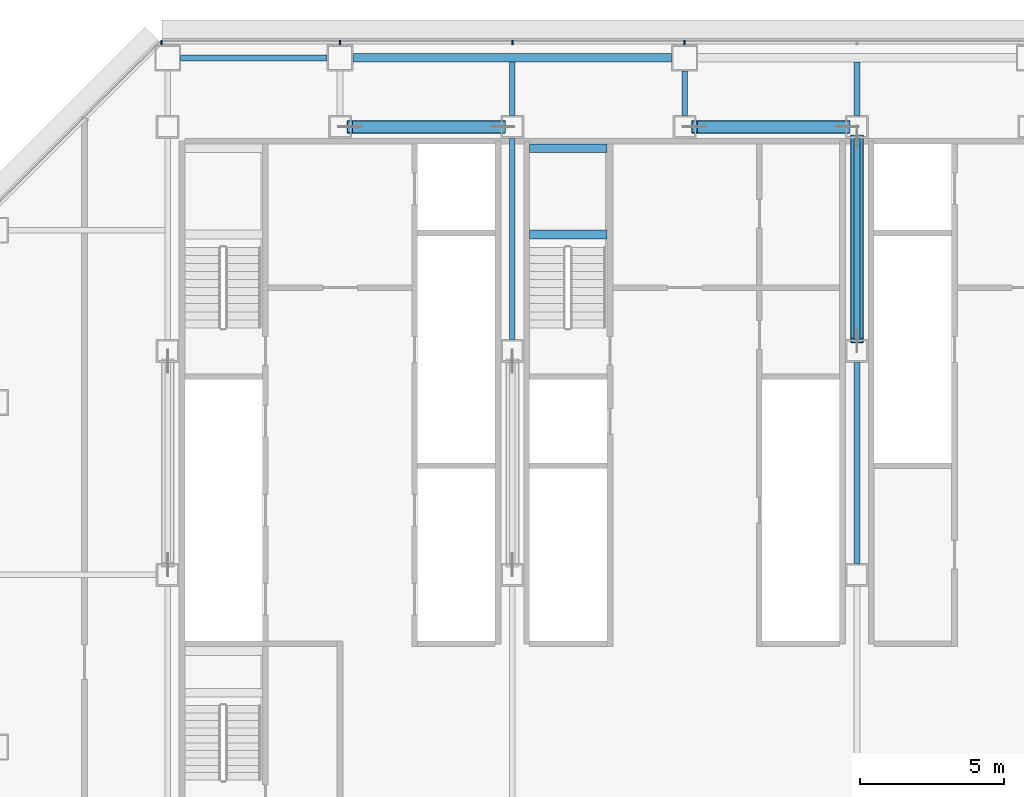
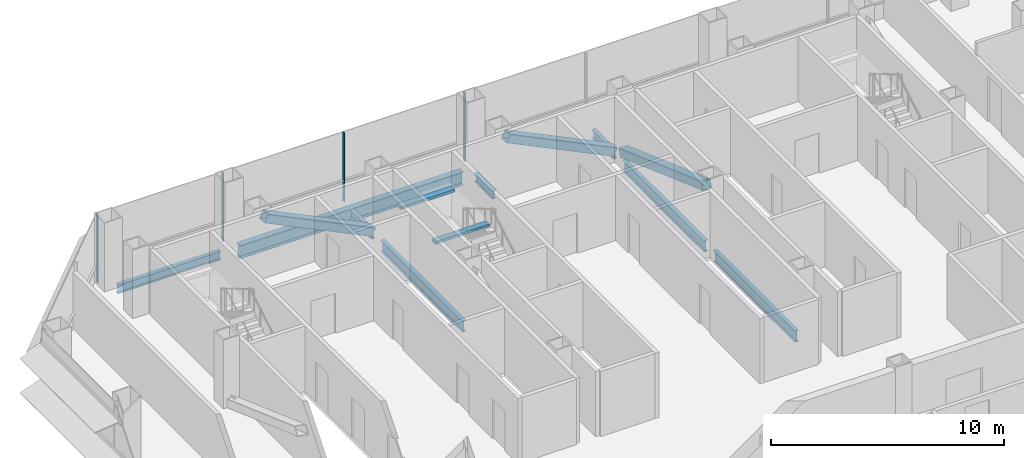
# One storey, part 12 of 27: 10 beams, 7 members, 1 element without a shape of its own.
"""IFC4 building model written with IfcOpenShell, lengths in metres."""

from ifc_helpers import new_model, si_unit, direction, frame, origin, origin_2d, place, context, subcontext, project, spatial, rectangle, hollow_rectangle, i_section, extrude, material, material_profile, profile_set, type_object, element, aggregate, save


model = new_model("IFC4")

# Units and contexts
model_context = context("Model", 3, precision=1e-05, world=origin(), true_north=direction((0.0, 1.0)))
body_context = subcontext(model_context, "Body", "Model", "MODEL_VIEW")
ifc_project = project(units=[si_unit("LENGTHUNIT", "METRE"), si_unit("AREAUNIT", "SQUARE_METRE"), si_unit("VOLUMEUNIT", "CUBIC_METRE"), si_unit("PLANEANGLEUNIT", "RADIAN"), si_unit("MASSUNIT", "GRAM", prefix="KILO")], contexts=[model_context])

# Site, building, storey
site_placement = place(None, origin())
site = spatial("IfcSite", under=ifc_project, at=site_placement, CompositionType="ELEMENT")
building_placement = place(site_placement, origin())
building = spatial("IfcBuilding", under=site, at=building_placement, Name="Sorahane Residences", CompositionType="ELEMENT")
storey_placement = place(building_placement, frame((0.0, 0.0, 75.0)))
storey = spatial("IfcBuildingStorey", under=building, at=storey_placement, Name="L15", CompositionType="ELEMENT", Elevation=75.0)

# Members
ifc_material_1 = material(Name="Steel Q355B", Category="steel")
ifc_material_profile_1 = material_profile(ifc_material_1, hollow_rectangle(XDim=0.449951171875, YDim=0.449951171875, WallThickness=0.02197265625, InnerFilletRadius=0.010986328125, OuterFilletRadius=0.032958984375, at=origin_2d()), Name="RHS 450x450x22")
ifc_profile_set_1 = profile_set([ifc_material_profile_1], Name="Steel Q355B")
member_type_1 = type_object("IfcMemberType", Name="Core brace RHS 450x450x22 Q355B", PredefinedType="BRACE", material=ifc_profile_set_1)
for number, where, z_axis, x_axis, name in (
    (1, (17.658935546875, 45.60009765625, 0.196533203125), (-0.899910905173, 0.0, 0.436073804247), (0.0, -1.0, 0.0), "Core brace L15 y45.6-2"),
    (2, (29.658935546875, 45.60009765625, 0.196533203125), (-0.899910905173, 0.0, 0.436073804247), (0.0, -1.0, 0.0), "Core brace L15 y45.6-4"),
):
    element("IfcMember", number, at=place(storey_placement, frame(where, z_axis=z_axis, x_axis=x_axis)), inside=storey, type_object=member_type_1, Name=name, PredefinedType="BRACE", context=body_context, shape_type="SweptSolid", body=[
        extrude(hollow_rectangle(XDim=0.449951171875, YDim=0.449951171875, WallThickness=0.02197265625, InnerFilletRadius=0.010986328125, OuterFilletRadius=0.032958984375, at=origin_2d()), origin(), (0.0, 0.0, 1.0), 5.909423828125),
    ])
member_1_placement = place(storey_placement, frame((30.0, 45.24560546875, 0.20849609375), z_axis=(0.0, -0.940882869443, 0.338732085856), x_axis=(1.0, 0.0, 0.0)))
element("IfcMember", 3, at=member_1_placement, inside=storey, type_object=member_type_1, Name="Core brace L15 x30-2", PredefinedType="BRACE", context=body_context, shape_type="SweptSolid", body=[
    extrude(hollow_rectangle(XDim=0.449951171875, YDim=0.449951171875, WallThickness=0.02197265625, InnerFilletRadius=0.010986328125, OuterFilletRadius=0.032958984375, at=origin_2d()), origin(), (0.0, 0.0, 1.0), 7.536865234375),
])

# Curtain wall, members
ifc_material_2 = material(Name="Dark low-e glass and black anodised aluminium", Category="aluminium")
curtain_wall_type = type_object("IfcCurtainWallType", Name="Curtain wall CW-1 Typical unitised wall", PredefinedType="NOTDEFINED", material=ifc_material_2)
curtain_wall_placement = place(storey_placement, origin())
curtain_wall = element("IfcCurtainWall", 4, at=curtain_wall_placement, inside=storey, type_object=curtain_wall_type, Name="CW-1 curtain wall L15 N1", PredefinedType="NOTDEFINED")
ifc_material_3 = material(Name="Black anodised aluminium", Category="aluminium")
ifc_material_profile_2 = material_profile(ifc_material_3, rectangle(XDim=0.159912109375, YDim=0.050048828125, at=origin_2d()), Name="Curtain wall mullion CW-1 black anodised aluminium 50x160")
ifc_profile_set_2 = profile_set([ifc_material_profile_2], Name="Black anodised aluminium")
member_type_2 = type_object("IfcMemberType", Name="Curtain wall mullion CW-1 black anodised aluminium 50x160", PredefinedType="MULLION", material=ifc_profile_set_2)
member_2_placement = place(storey_placement, frame((24.0, 48.5400390625, -0.179931640625), z_axis=(0.0, 0.0, 1.0), x_axis=(0.0, 1.0, 0.0)))
member_2 = element("IfcMember", 5, at=member_2_placement, type_object=member_type_2, Name="CW-1 mullion L15 N1.7", PredefinedType="MULLION", context=body_context, shape_type="SweptSolid", body=[
    extrude(rectangle(XDim=0.159912109375, YDim=0.050048828125, at=origin_2d()), origin(), (0.0, 0.0, 1.0), 3.599853515625),
])
member_3_placement = place(storey_placement, frame((18.0, 48.5400390625, -0.179931640625), z_axis=(0.0, 0.0, 1.0), x_axis=(0.0, 1.0, 0.0)))
member_3 = element("IfcMember", 6, at=member_3_placement, type_object=member_type_2, Name="CW-1 mullion L15 N1.8", PredefinedType="MULLION", context=body_context, shape_type="SweptSolid", body=[
    extrude(rectangle(XDim=0.159912109375, YDim=0.050048828125, at=origin_2d()), origin(), (0.0, 0.0, 1.0), 3.599853515625),
])
member_4_placement = place(storey_placement, frame((12.0, 48.5400390625, -0.179931640625), z_axis=(0.0, 0.0, 1.0), x_axis=(0.0, 1.0, 0.0)))
member_4 = element("IfcMember", 7, at=member_4_placement, type_object=member_type_2, Name="CW-1 mullion L15 N1.9", PredefinedType="MULLION", context=body_context, shape_type="SweptSolid", body=[
    extrude(rectangle(XDim=0.159912109375, YDim=0.050048828125, at=origin_2d()), origin(), (0.0, 0.0, 1.0), 3.599853515625),
])
member_5_placement = place(storey_placement, frame((5.7763671875, 48.5400390625, -0.179931640625), z_axis=(0.0, 0.0, 1.0), x_axis=(0.0, 1.0, 0.0)))
member_5 = element("IfcMember", 8, at=member_5_placement, type_object=member_type_2, Name="CW-1 mullion L15 N1.10", PredefinedType="MULLION", context=body_context, shape_type="SweptSolid", body=[
    extrude(rectangle(XDim=0.159912109375, YDim=0.050048828125, at=origin_2d()), origin(), (0.0, 0.0, 1.0), 3.599853515625),
])
aggregate(curtain_wall, [member_2, member_3, member_4, member_5])

# Beams
ifc_material_4 = material(Name="Concrete C40", Category="concrete")
ifc_material_profile_3 = material_profile(ifc_material_4, rectangle(XDim=0.300048828125, YDim=0.139892578125, at=origin_2d()), Name="300x140")
ifc_profile_set_3 = profile_set([ifc_material_profile_3], Name="Concrete C40")
beam_type_1 = type_object("IfcBeamType", Name="RC landing beam 300 x 140 Concrete C40", PredefinedType="BEAM", material=ifc_profile_set_3)
for number, where, z_axis, x_axis, name in (
    (9, (18.60009765625, 41.85009765625, 1.530029296875), (1.0, 0.0, 0.0), (0.0, 1.0, 0.0), "Landing beam"),
    (10, (18.60009765625, 44.85009765625, 1.530029296875), (1.0, 0.0, 0.0), (0.0, 1.0, 0.0), "Landing beam"),
):
    element("IfcBeam", number, at=place(storey_placement, frame(where, z_axis=z_axis, x_axis=x_axis)), inside=storey, type_object=beam_type_1, Name=name, PredefinedType="BEAM", context=body_context, shape_type="SweptSolid", body=[
        extrude(rectangle(XDim=0.300048828125, YDim=0.139892578125, at=origin_2d()), origin(), (0.0, 0.0, 1.0), 2.699951171875),
    ])
ifc_material_5 = material(Name="Steel Q355B", Category="steel")
ifc_material_profile_4 = material_profile(ifc_material_5, i_section(OverallWidth=0.199951171875, OverallDepth=0.449951171875, WebThickness=0.009033203125, FlangeThickness=0.013916015625, FilletRadius=0.02001953125, at=origin_2d()), Name="HN 450x200x9x14")
ifc_profile_set_4 = profile_set([ifc_material_profile_4], Name="Steel Q355B")
beam_type_2 = type_object("IfcBeamType", Name="Steel floor beam HN 450x200x9x14 Q355B", PredefinedType="BEAM", material=ifc_profile_set_4)
beam_1_placement = place(storey_placement, frame((6.449951171875, 48.0, -0.405029296875), z_axis=(1.0, 0.0, 0.0), x_axis=(0.0, 1.0, 0.0)))
element("IfcBeam", 11, at=beam_1_placement, inside=storey, type_object=beam_type_2, Name="Beam L15 012", PredefinedType="BEAM", context=body_context, shape_type="SweptSolid", body=[
    extrude(i_section(OverallWidth=0.199951171875, OverallDepth=0.449951171875, WebThickness=0.009033203125, FlangeThickness=0.013916015625, FilletRadius=0.02001953125, at=origin_2d()), origin(), (0.0, 0.0, 1.0), 5.10009765625),
])
beam_2_placement = place(storey_placement, frame((18.0, 46.0, -0.405029296875), z_axis=(0.0, 1.0, 0.0), x_axis=(-1.0, 0.0, 0.0)))
element("IfcBeam", 12, at=beam_2_placement, inside=storey, type_object=beam_type_2, Name="Beam L15 034", PredefinedType="BEAM", context=body_context, shape_type="SweptSolid", body=[
    extrude(i_section(OverallWidth=0.199951171875, OverallDepth=0.449951171875, WebThickness=0.009033203125, FlangeThickness=0.013916015625, FilletRadius=0.02001953125, at=origin_2d()), origin(), (0.0, 0.0, 1.0), 1.85009765625),
])
beam_3_placement = place(storey_placement, frame((24.0, 46.0, -0.405029296875), z_axis=(0.0, 1.0, 0.0), x_axis=(-1.0, 0.0, 0.0)))
element("IfcBeam", 13, at=beam_3_placement, inside=storey, type_object=beam_type_2, Name="Beam L15 036", PredefinedType="BEAM", context=body_context, shape_type="SweptSolid", body=[
    extrude(i_section(OverallWidth=0.199951171875, OverallDepth=0.449951171875, WebThickness=0.009033203125, FlangeThickness=0.013916015625, FilletRadius=0.02001953125, at=origin_2d()), origin(), (0.0, 0.0, 1.0), 1.550048828125),
])
beam_4_placement = place(storey_placement, frame((30.0, 46.0, -0.405029296875), z_axis=(0.0, 1.0, 0.0), x_axis=(-1.0, 0.0, 0.0)))
element("IfcBeam", 14, at=beam_4_placement, inside=storey, type_object=beam_type_2, Name="Beam L15 042", PredefinedType="BEAM", context=body_context, shape_type="SweptSolid", body=[
    extrude(i_section(OverallWidth=0.199951171875, OverallDepth=0.449951171875, WebThickness=0.009033203125, FlangeThickness=0.013916015625, FilletRadius=0.02001953125, at=origin_2d()), origin(), (0.0, 0.0, 1.0), 1.85009765625),
])
ifc_material_6 = material(Name="Steel Q355B", Category="steel")
ifc_material_profile_5 = material_profile(ifc_material_6, i_section(OverallWidth=0.199951171875, OverallDepth=0.60009765625, WebThickness=0.010986328125, FlangeThickness=0.01708984375, FilletRadius=0.02392578125, at=origin_2d()), Name="HN 600x200x11x17")
ifc_profile_set_5 = profile_set([ifc_material_profile_5], Name="Steel Q355B")
beam_type_3 = type_object("IfcBeamType", Name="Steel floor beam HN 600x200x11x17 Q355B", PredefinedType="BEAM", material=ifc_profile_set_5)
for number, where, z_axis, x_axis, name in (
    (15, (18.0, 38.199951171875, -0.47998046875), (0.0, 1.0, 0.0), (-1.0, 0.0, 0.0), "Beam L15 033"),
    (16, (30.0, 30.39990234375, -0.47998046875), (0.0, 1.0, 0.0), (-1.0, 0.0, 0.0), "Beam L15 040"),
    (17, (30.0, 38.199951171875, -0.47998046875), (0.0, 1.0, 0.0), (-1.0, 0.0, 0.0), "Beam L15 041"),
):
    element("IfcBeam", number, at=place(storey_placement, frame(where, z_axis=z_axis, x_axis=x_axis)), inside=storey, type_object=beam_type_3, Name=name, PredefinedType="BEAM", context=body_context, shape_type="SweptSolid", body=[
        extrude(i_section(OverallWidth=0.199951171875, OverallDepth=0.60009765625, WebThickness=0.010986328125, FlangeThickness=0.01708984375, FilletRadius=0.02392578125, at=origin_2d()), origin(), (0.0, 0.0, 1.0), 7.0),
    ])
ifc_material_7 = material(Name="Steel Q355B", Category="steel")
ifc_material_profile_6 = material_profile(ifc_material_7, i_section(OverallWidth=0.300048828125, OverallDepth=0.699951171875, WebThickness=0.012939453125, FlangeThickness=0.02392578125, FilletRadius=0.028076171875, at=origin_2d()), Name="HN 700x300x13x24")
ifc_profile_set_6 = profile_set([ifc_material_profile_6], Name="Steel Q355B")
beam_type_4 = type_object("IfcBeamType", Name="Steel floor beam HN 700x300x13x24 Q355B", PredefinedType="BEAM", material=ifc_profile_set_6)
beam_5_placement = place(storey_placement, frame((12.449951171875, 48.0, -0.530029296875), z_axis=(1.0, 0.0, 0.0), x_axis=(0.0, 1.0, 0.0)))
element("IfcBeam", 18, at=beam_5_placement, inside=storey, type_object=beam_type_4, Name="Beam L15 013", PredefinedType="BEAM", context=body_context, shape_type="SweptSolid", body=[
    extrude(i_section(OverallWidth=0.300048828125, OverallDepth=0.699951171875, WebThickness=0.012939453125, FlangeThickness=0.02392578125, FilletRadius=0.028076171875, at=origin_2d()), origin(), (0.0, 0.0, 1.0), 11.10009765625),
])

save(model, "model.ifc")
